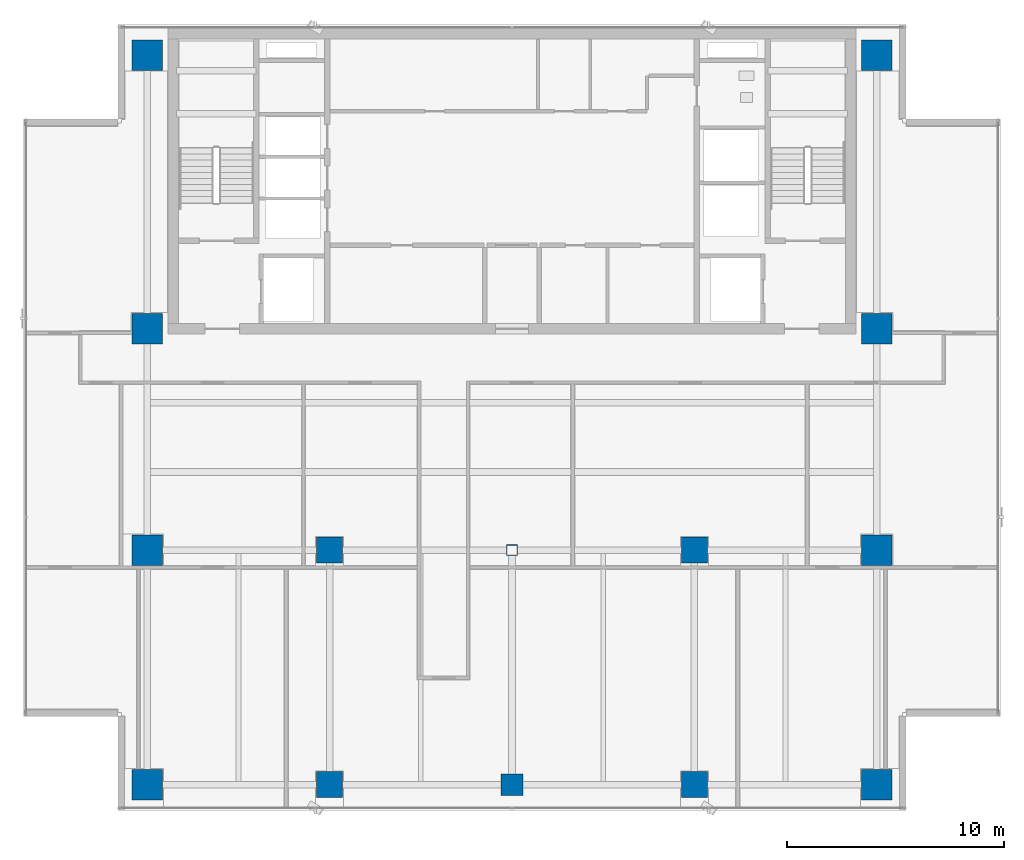
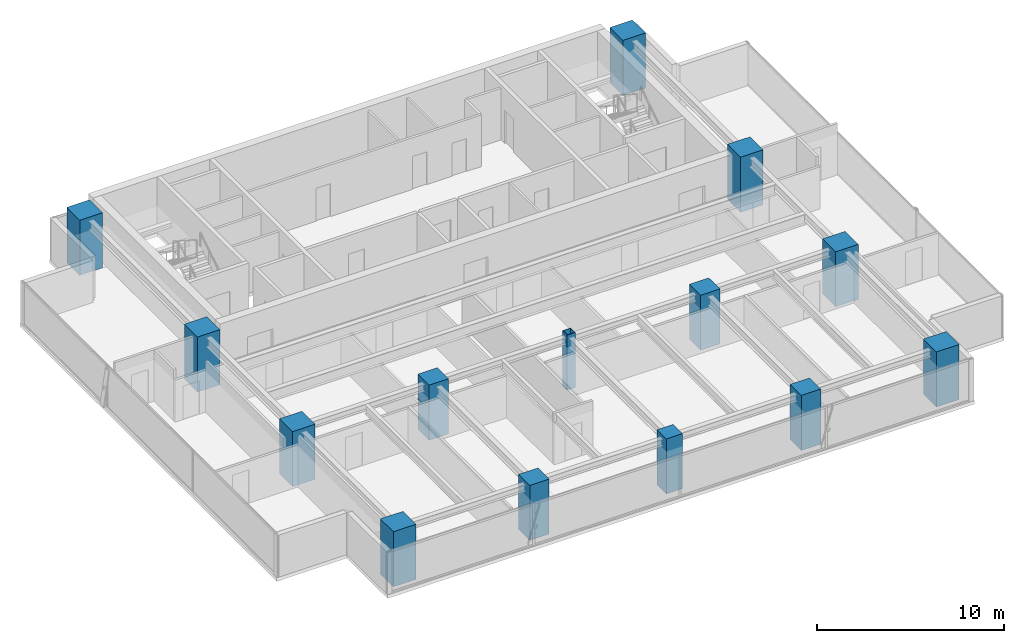
# One storey, part 1 of 26: 14 columns.
"""IFC4 building model written with IfcOpenShell, lengths in metres."""

from ifc_helpers import new_model, si_unit, direction, frame, origin, origin_with_axes, origin_2d, place, context, subcontext, project, spatial, rectangle, hollow_rectangle, extrude, source, transform, mapped, material, material_profile, profile_set, type_object, element, save


model = new_model("IFC4")

# Units and contexts
model_context = context("Model", 3, precision=1e-05, world=origin(), true_north=direction((0.0, 1.0)))
body_context = subcontext(model_context, "Body", "Model", "MODEL_VIEW")
ifc_project = project(units=[si_unit("LENGTHUNIT", "METRE"), si_unit("AREAUNIT", "SQUARE_METRE"), si_unit("VOLUMEUNIT", "CUBIC_METRE"), si_unit("PLANEANGLEUNIT", "RADIAN"), si_unit("MASSUNIT", "GRAM", prefix="KILO")], contexts=[model_context])

# Site, building, storey
site_placement = place(None, origin())
site = spatial("IfcSite", under=ifc_project, at=site_placement, CompositionType="ELEMENT")
building_placement = place(site_placement, origin())
building = spatial("IfcBuilding", under=site, at=building_placement, Name="Sumidabori Civic Tower", CompositionType="ELEMENT")
storey_placement = place(building_placement, frame((0.0, 0.0, 243.199951171875)))
storey = spatial("IfcBuildingStorey", under=building, at=storey_placement, Name="L63", CompositionType="ELEMENT", Elevation=243.199951171875)

# Columns
ifc_material_1 = material(Name="Concrete C60/75", Category="concrete")
ifc_material_profile_1 = material_profile(ifc_material_1, rectangle(XDim=1.39990234375, YDim=1.39990234375, at=origin_2d()), Name="RC 1400x1400")
ifc_profile_set_1 = profile_set([ifc_material_profile_1], Name="Concrete C60/75")
column_type_1 = type_object("IfcColumnType", Name="CL-MEGA-1400", PredefinedType="COLUMN", material=ifc_profile_set_1)
shared_shape_1 = source(origin(), body_context, "Body", "SweptSolid", [
    extrude(rectangle(XDim=1.39990234375, YDim=1.39990234375, at=origin_2d()), origin(), (0.0, 0.0, 1.0), 3.60009765625),
])
for number, where, z_axis, x_axis, name in (
    (1, (-16.800048828125, -10.800048828125, 0.0), (0.0, 0.0, 1.0), (1.0, 0.0, 0.0), "Column MC-W16-Y11S L63"),
    (2, (-16.800048828125, 0.0, 0.0), (0.0, 0.0, 1.0), (1.0, 0.0, 0.0), "Column MC-W16-Y00 L63"),
    (3, (-16.800048828125, 10.199951171875, 0.0), (0.0, 0.0, 1.0), (1.0, 0.0, 0.0), "Column MC-W16-Y10N L63"),
    (4, (-16.800048828125, 22.800048828125, 0.0), (0.0, 0.0, 1.0), (1.0, 0.0, 0.0), "Column MC-W16-Y23N L63"),
    (5, (16.800048828125, -10.800048828125, 0.0), (0.0, 0.0, 1.0), (1.0, 0.0, 0.0), "Column MC-E16-Y11S L63"),
    (6, (16.800048828125, 0.0, 0.0), (0.0, 0.0, 1.0), (1.0, 0.0, 0.0), "Column MC-E16-Y00 L63"),
    (7, (16.800048828125, 10.199951171875, 0.0), (0.0, 0.0, 1.0), (1.0, 0.0, 0.0), "Column MC-E16-Y10N L63"),
    (8, (16.800048828125, 22.800048828125, 0.0), (0.0, 0.0, 1.0), (1.0, 0.0, 0.0), "Column MC-E16-Y23N L63"),
):
    element("IfcColumn", number, at=place(storey_placement, frame(where, z_axis=z_axis, x_axis=x_axis)), inside=storey, type_object=column_type_1, Name=name, PredefinedType="COLUMN", context=body_context, shape_type="MappedRepresentation", body=[
        mapped(shared_shape_1, transform((0.0, 0.0, 0.0), x_axis=(1.0, 0.0, 0.0), y_axis=(0.0, 1.0, 0.0), z_axis=(0.0, 0.0, 1.0), scale=1.0)),
    ])
ifc_material_2 = material(Name="Concrete C50/60", Category="concrete")
ifc_material_profile_2 = material_profile(ifc_material_2, rectangle(XDim=1.0, YDim=1.0, at=origin_2d()), Name="RC 1000x1000")
ifc_profile_set_2 = profile_set([ifc_material_profile_2], Name="Concrete C50/60")
column_type_2 = type_object("IfcColumnType", Name="CL-INT-1000", PredefinedType="COLUMN", material=ifc_profile_set_2)
shared_shape_2 = source(origin(), body_context, "Body", "SweptSolid", [
    extrude(rectangle(XDim=1.0, YDim=1.0, at=origin_2d()), origin(), (0.0, 0.0, 1.0), 3.60009765625),
])
column_1_placement = place(storey_placement, frame((0.0, -10.800048828125, 0.0), z_axis=(0.0, 0.0, 1.0), x_axis=(1.0, 0.0, 0.0)))
element("IfcColumn", 9, at=column_1_placement, inside=storey, type_object=column_type_2, Name="Column MC-C00-Y11S L63", PredefinedType="COLUMN", context=body_context, shape_type="MappedRepresentation", body=[
    mapped(shared_shape_2, transform((0.0, 0.0, 0.0), x_axis=(1.0, 0.0, 0.0), y_axis=(0.0, 1.0, 0.0), z_axis=(0.0, 0.0, 1.0), scale=1.0)),
])
ifc_material_profile_3 = material_profile(ifc_material_2, rectangle(XDim=1.199951171875, YDim=1.199951171875, at=origin_2d()), Name="RC 1200x1200")
ifc_profile_set_3 = profile_set([ifc_material_profile_3], Name="Concrete C50/60")
column_type_3 = type_object("IfcColumnType", Name="CL-MEGA-1200", PredefinedType="COLUMN", material=ifc_profile_set_3)
shared_shape_3 = source(origin(), body_context, "Body", "SweptSolid", [
    extrude(rectangle(XDim=1.199951171875, YDim=1.199951171875, at=origin_2d()), origin(), (0.0, 0.0, 1.0), 3.60009765625),
])
for number, where, z_axis, x_axis, name in (
    (10, (-8.39990234375, 0.0, 0.0), (0.0, 0.0, 1.0), (1.0, 0.0, 0.0), "Column MC-W08-Y00 L63"),
    (11, (-8.39990234375, -10.800048828125, 0.0), (0.0, 0.0, 1.0), (1.0, 0.0, 0.0), "Column MC-W08-Y11S L63"),
    (12, (8.39990234375, 0.0, 0.0), (0.0, 0.0, 1.0), (1.0, 0.0, 0.0), "Column MC-E08-Y00 L63"),
    (13, (8.39990234375, -10.800048828125, 0.0), (0.0, 0.0, 1.0), (1.0, 0.0, 0.0), "Column MC-E08-Y11S L63"),
):
    element("IfcColumn", number, at=place(storey_placement, frame(where, z_axis=z_axis, x_axis=x_axis)), inside=storey, type_object=column_type_3, Name=name, PredefinedType="COLUMN", context=body_context, shape_type="MappedRepresentation", body=[
        mapped(shared_shape_3, transform((0.0, 0.0, 0.0), x_axis=(1.0, 0.0, 0.0), y_axis=(0.0, 1.0, 0.0), z_axis=(0.0, 0.0, 1.0), scale=1.0)),
    ])
ifc_material_3 = material(Name="Steel SN490", Category="steel")
ifc_material_profile_4 = material_profile(ifc_material_3, hollow_rectangle(XDim=0.5, YDim=0.5, WallThickness=0.02490234375, at=origin_2d()), Name="SHS 500x500x25")
ifc_profile_set_4 = profile_set([ifc_material_profile_4], Name="Steel SN490")
column_type_4 = type_object("IfcColumnType", Name="CL-CRN-SHS500", PredefinedType="COLUMN", material=ifc_profile_set_4)
shared_shape_4 = source(origin(), body_context, "Body", "SweptSolid", [
    extrude(hollow_rectangle(XDim=0.5, YDim=0.5, WallThickness=0.02490234375, at=origin_2d()), origin(), (0.0, 0.0, 1.0), 3.60009765625),
])
column_2_placement = place(storey_placement, origin_with_axes())
element("IfcColumn", 14, at=column_2_placement, inside=storey, type_object=column_type_4, Name="Column MC-C00-Y00 L63", PredefinedType="COLUMN", context=body_context, shape_type="MappedRepresentation", body=[
    mapped(shared_shape_4, transform((0.0, 0.0, 0.0), x_axis=(1.0, 0.0, 0.0), y_axis=(0.0, 1.0, 0.0), z_axis=(0.0, 0.0, 1.0), scale=1.0)),
])

save(model, "model.ifc")
